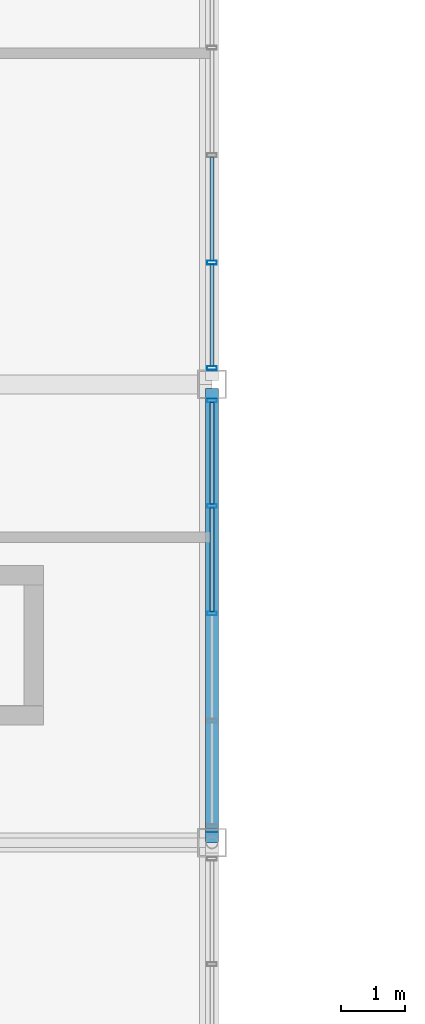
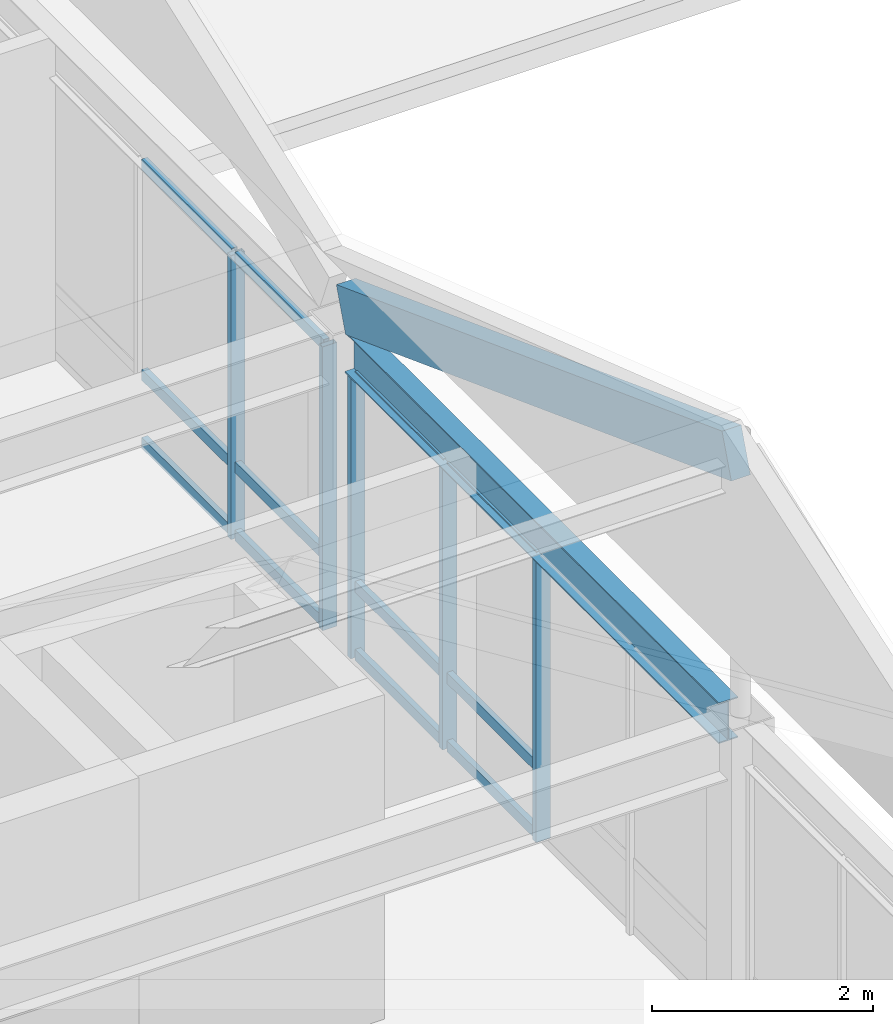
# One storey, part 22 of 113: 18 members, 1 beam, 2 elements without a shape of their own.
"""IFC4 building model written with IfcOpenShell, lengths in metres."""

from ifc_helpers import new_model, si_unit, direction, frame, origin, origin_2d, place, context, subcontext, project, spatial, rectangle, hollow_rectangle, i_section, extrude, material, material_profile, profile_set, type_object, element, aggregate, save


model = new_model("IFC4")

# Units and contexts
model_context = context("Model", 3, precision=1e-05, world=origin(), true_north=direction((0.0, 1.0)))
body_context = subcontext(model_context, "Body", "Model", "MODEL_VIEW")
ifc_project = project(units=[si_unit("LENGTHUNIT", "METRE"), si_unit("AREAUNIT", "SQUARE_METRE"), si_unit("VOLUMEUNIT", "CUBIC_METRE"), si_unit("PLANEANGLEUNIT", "RADIAN"), si_unit("MASSUNIT", "GRAM", prefix="KILO")], contexts=[model_context])

# Site, building, storey
site_placement = place(None, origin())
site = spatial("IfcSite", under=ifc_project, at=site_placement, CompositionType="ELEMENT")
building_placement = place(site_placement, origin())
building = spatial("IfcBuilding", under=site, at=building_placement, Name="Kazanami Central Library", CompositionType="ELEMENT")
storey_placement = place(building_placement, frame((0.0, 0.0, 8.800048828125)))
storey = spatial("IfcBuildingStorey", under=building, at=storey_placement, Name="L03", CompositionType="ELEMENT", Elevation=8.800048828125)

# Beam
ifc_material_1 = material(Name="Steel SN490B (325 MPa)", Category="steel")
ifc_material_profile_1 = material_profile(ifc_material_1, i_section(OverallWidth=0.199951171875, OverallDepth=0.449951171875, WebThickness=0.009033203125, FlangeThickness=0.013916015625, at=origin_2d()), Name="H-450x200x9x14")
ifc_profile_set_1 = profile_set([ifc_material_profile_1], Name="Steel SN490B (325 MPa)")
beam_type = type_object("IfcBeamType", Name="BM-SP-2", PredefinedType="SPANDREL", material=ifc_profile_set_1)
beam_placement = place(storey_placement, frame((36.0, 7.423095703125, 3.35498046875), z_axis=(0.0, 1.0, 0.0), x_axis=(-1.0, 0.0, 0.0)))
element("IfcBeam", 1, at=beam_placement, inside=storey, type_object=beam_type, Name="Girder SP-2 L03 5/B-C", PredefinedType="SPANDREL", context=body_context, shape_type="SweptSolid", body=[
    extrude(i_section(OverallWidth=0.199951171875, OverallDepth=0.449951171875, WebThickness=0.009033203125, FlangeThickness=0.013916015625, at=origin_2d()), origin(), (0.0, 0.0, 1.0), 6.75390625),
])

# Curtain wall, members
ifc_material_2 = material(Name="Acid-Etched Low-E Laminated Glass", Category="glass")
curtain_wall_type = type_object("IfcCurtainWallType", Name="CW-6750x3130-M180", PredefinedType="USERDEFINED", material=ifc_material_2)
curtain_wall_1_placement = place(storey_placement, origin())
curtain_wall_1 = element("IfcCurtainWall", 2, at=curtain_wall_1_placement, inside=storey, type_object=curtain_wall_type, Name="Covered Link Bridge Curtain Wall CW-33 L03 E-5-01", ObjectType="UNITISED CURTAIN WALL", PredefinedType="USERDEFINED")
ifc_material_3 = material(Name="Anodised Aluminium A6063-T5", Category="aluminium")
ifc_material_profile_2 = material_profile(ifc_material_3, hollow_rectangle(XDim=0.06005859375, YDim=0.14990234375, WallThickness=0.00390625, at=origin_2d()), Name="ALU-MULL-60x150x4")
ifc_profile_set_2 = profile_set([ifc_material_profile_2], Name="Anodised Aluminium A6063-T5")
member_type_1 = type_object("IfcMemberType", Name="MEM-CW-M3", PredefinedType="MULLION", material=ifc_profile_set_2)
member_1_placement = place(storey_placement, frame((36.0, 14.14501953125, 0.0), z_axis=(0.0, 0.0, 1.0), x_axis=(0.0, -1.0, 0.0)))
member_1 = element("IfcMember", 3, at=member_1_placement, type_object=member_type_1, Name="CW-33 mullion 1", PredefinedType="MULLION", context=body_context, shape_type="SweptSolid", body=[
    extrude(hollow_rectangle(XDim=0.06005859375, YDim=0.14990234375, WallThickness=0.00390625, at=origin_2d()), origin(), (0.0, 0.0, 1.0), 3.1298828125),
])
member_2_placement = place(storey_placement, frame((36.0, 12.487548828125, 0.0), z_axis=(0.0, 0.0, 1.0), x_axis=(0.0, -1.0, 0.0)))
member_2 = element("IfcMember", 4, at=member_2_placement, type_object=member_type_1, Name="CW-33 mullion 2", PredefinedType="MULLION", context=body_context, shape_type="SweptSolid", body=[
    extrude(hollow_rectangle(XDim=0.06005859375, YDim=0.14990234375, WallThickness=0.00390625, at=origin_2d()), origin(), (0.0, 0.0, 1.0), 3.1298828125),
])
member_3_placement = place(storey_placement, frame((36.0, 10.800048828125, 0.0), z_axis=(0.0, 0.0, 1.0), x_axis=(0.0, -1.0, 0.0)))
member_3 = element("IfcMember", 5, at=member_3_placement, type_object=member_type_1, Name="CW-33 mullion 3", PredefinedType="MULLION", context=body_context, shape_type="SweptSolid", body=[
    extrude(hollow_rectangle(XDim=0.06005859375, YDim=0.14990234375, WallThickness=0.00390625, at=origin_2d()), origin(), (0.0, 0.0, 1.0), 3.1298828125),
])

curtain_wall_2_placement = place(storey_placement, origin())
curtain_wall_2 = element("IfcCurtainWall", 6, at=curtain_wall_2_placement, inside=storey, type_object=curtain_wall_type, Name="Covered Link Bridge Curtain Wall CW-33 L03 E-5-02", ObjectType="UNITISED CURTAIN WALL", PredefinedType="USERDEFINED")
member_4_placement = place(storey_placement, frame((36.0, 16.3125, 0.0), z_axis=(0.0, 0.0, 1.0), x_axis=(0.0, -1.0, 0.0)))
member_4 = element("IfcMember", 7, at=member_4_placement, type_object=member_type_1, Name="CW-33 mullion 4", PredefinedType="MULLION", context=body_context, shape_type="SweptSolid", body=[
    extrude(hollow_rectangle(XDim=0.06005859375, YDim=0.14990234375, WallThickness=0.00390625, at=origin_2d()), origin(), (0.0, 0.0, 1.0), 3.1298828125),
])
member_5_placement = place(storey_placement, frame((36.0, 14.655029296875, 0.0), z_axis=(0.0, 0.0, 1.0), x_axis=(0.0, -1.0, 0.0)))
member_5 = element("IfcMember", 8, at=member_5_placement, type_object=member_type_1, Name="CW-33 mullion 5", PredefinedType="MULLION", context=body_context, shape_type="SweptSolid", body=[
    extrude(hollow_rectangle(XDim=0.06005859375, YDim=0.14990234375, WallThickness=0.00390625, at=origin_2d()), origin(), (0.0, 0.0, 1.0), 3.1298828125),
])

# Member
ifc_material_profile_3 = material_profile(ifc_material_3, hollow_rectangle(XDim=0.06005859375, YDim=0.1201171875, WallThickness=0.00341796875, at=origin_2d()), Name="ALU-TRAN-60x120x3.5")
ifc_profile_set_3 = profile_set([ifc_material_profile_3], Name="Anodised Aluminium A6063-T5")
member_type_2 = type_object("IfcMemberType", Name="MEM-CW-T3", PredefinedType="USERDEFINED", material=ifc_profile_set_3)
member_6_placement = place(storey_placement, frame((36.0, 14.114990234375, 0.030029296875), z_axis=(0.0, -1.0, 0.0), x_axis=(1.0, 0.0, 0.0)))
member_6 = element("IfcMember", 9, at=member_6_placement, type_object=member_type_2, Name="CW-33 transom 1.1", ObjectType="TRANSOM", PredefinedType="USERDEFINED", context=body_context, shape_type="SweptSolid", body=[
    extrude(hollow_rectangle(XDim=0.06005859375, YDim=0.1201171875, WallThickness=0.00341796875, at=origin_2d()), origin(), (0.0, 0.0, 1.0), 1.597412109375),
])

member_7_placement = place(storey_placement, frame((36.0, 14.114990234375, 0.780029296875), z_axis=(0.0, -1.0, 0.0), x_axis=(1.0, 0.0, 0.0)))
member_7 = element("IfcMember", 10, at=member_7_placement, type_object=member_type_2, Name="CW-33 transom 1.2", ObjectType="TRANSOM", PredefinedType="USERDEFINED", context=body_context, shape_type="SweptSolid", body=[
    extrude(hollow_rectangle(XDim=0.06005859375, YDim=0.1201171875, WallThickness=0.00341796875, at=origin_2d()), origin(), (0.0, 0.0, 1.0), 1.597412109375),
])

member_8_placement = place(storey_placement, frame((36.0, 14.114990234375, 3.099853515625), z_axis=(0.0, -1.0, 0.0), x_axis=(1.0, 0.0, 0.0)))
member_8 = element("IfcMember", 11, at=member_8_placement, type_object=member_type_2, Name="CW-33 transom 1.3", ObjectType="TRANSOM", PredefinedType="USERDEFINED", context=body_context, shape_type="SweptSolid", body=[
    extrude(hollow_rectangle(XDim=0.06005859375, YDim=0.1201171875, WallThickness=0.00341796875, at=origin_2d()), origin(), (0.0, 0.0, 1.0), 1.597412109375),
])

member_9_placement = place(storey_placement, frame((36.0, 12.45751953125, 0.030029296875), z_axis=(0.0, -1.0, 0.0), x_axis=(1.0, 0.0, 0.0)))
member_9 = element("IfcMember", 12, at=member_9_placement, type_object=member_type_2, Name="CW-33 transom 2.1", ObjectType="TRANSOM", PredefinedType="USERDEFINED", context=body_context, shape_type="SweptSolid", body=[
    extrude(hollow_rectangle(XDim=0.06005859375, YDim=0.1201171875, WallThickness=0.00341796875, at=origin_2d()), origin(), (0.0, 0.0, 1.0), 1.62744140625),
])

member_10_placement = place(storey_placement, frame((36.0, 12.45751953125, 0.780029296875), z_axis=(0.0, -1.0, 0.0), x_axis=(1.0, 0.0, 0.0)))
member_10 = element("IfcMember", 13, at=member_10_placement, type_object=member_type_2, Name="CW-33 transom 2.2", ObjectType="TRANSOM", PredefinedType="USERDEFINED", context=body_context, shape_type="SweptSolid", body=[
    extrude(hollow_rectangle(XDim=0.06005859375, YDim=0.1201171875, WallThickness=0.00341796875, at=origin_2d()), origin(), (0.0, 0.0, 1.0), 1.62744140625),
])

member_11_placement = place(storey_placement, frame((36.0, 12.45751953125, 3.099853515625), z_axis=(0.0, -1.0, 0.0), x_axis=(1.0, 0.0, 0.0)))
member_11 = element("IfcMember", 14, at=member_11_placement, type_object=member_type_2, Name="CW-33 transom 2.3", ObjectType="TRANSOM", PredefinedType="USERDEFINED", context=body_context, shape_type="SweptSolid", body=[
    extrude(hollow_rectangle(XDim=0.06005859375, YDim=0.1201171875, WallThickness=0.00341796875, at=origin_2d()), origin(), (0.0, 0.0, 1.0), 1.62744140625),
])

aggregate(curtain_wall_1, [member_1, member_2, member_3, member_6, member_7, member_8, member_9, member_10, member_11])

member_12_placement = place(storey_placement, frame((36.0, 17.969970703125, 0.030029296875), z_axis=(0.0, -1.0, 0.0), x_axis=(1.0, 0.0, 0.0)))
member_12 = element("IfcMember", 15, at=member_12_placement, type_object=member_type_2, Name="CW-33 transom 3.1", ObjectType="TRANSOM", PredefinedType="USERDEFINED", context=body_context, shape_type="SweptSolid", body=[
    extrude(hollow_rectangle(XDim=0.06005859375, YDim=0.1201171875, WallThickness=0.00341796875, at=origin_2d()), origin(), (0.0, 0.0, 1.0), 1.62744140625),
])

member_13_placement = place(storey_placement, frame((36.0, 17.969970703125, 0.780029296875), z_axis=(0.0, -1.0, 0.0), x_axis=(1.0, 0.0, 0.0)))
member_13 = element("IfcMember", 16, at=member_13_placement, type_object=member_type_2, Name="CW-33 transom 3.2", ObjectType="TRANSOM", PredefinedType="USERDEFINED", context=body_context, shape_type="SweptSolid", body=[
    extrude(hollow_rectangle(XDim=0.06005859375, YDim=0.1201171875, WallThickness=0.00341796875, at=origin_2d()), origin(), (0.0, 0.0, 1.0), 1.62744140625),
])

member_14_placement = place(storey_placement, frame((36.0, 17.969970703125, 3.099853515625), z_axis=(0.0, -1.0, 0.0), x_axis=(1.0, 0.0, 0.0)))
member_14 = element("IfcMember", 17, at=member_14_placement, type_object=member_type_2, Name="CW-33 transom 3.3", ObjectType="TRANSOM", PredefinedType="USERDEFINED", context=body_context, shape_type="SweptSolid", body=[
    extrude(hollow_rectangle(XDim=0.06005859375, YDim=0.1201171875, WallThickness=0.00341796875, at=origin_2d()), origin(), (0.0, 0.0, 1.0), 1.62744140625),
])

member_15_placement = place(storey_placement, frame((36.0, 16.282470703125, 0.030029296875), z_axis=(0.0, -1.0, 0.0), x_axis=(1.0, 0.0, 0.0)))
member_15 = element("IfcMember", 18, at=member_15_placement, type_object=member_type_2, Name="CW-33 transom 4.1", ObjectType="TRANSOM", PredefinedType="USERDEFINED", context=body_context, shape_type="SweptSolid", body=[
    extrude(hollow_rectangle(XDim=0.06005859375, YDim=0.1201171875, WallThickness=0.00341796875, at=origin_2d()), origin(), (0.0, 0.0, 1.0), 1.597412109375),
])

member_16_placement = place(storey_placement, frame((36.0, 16.282470703125, 0.780029296875), z_axis=(0.0, -1.0, 0.0), x_axis=(1.0, 0.0, 0.0)))
member_16 = element("IfcMember", 19, at=member_16_placement, type_object=member_type_2, Name="CW-33 transom 4.2", ObjectType="TRANSOM", PredefinedType="USERDEFINED", context=body_context, shape_type="SweptSolid", body=[
    extrude(hollow_rectangle(XDim=0.06005859375, YDim=0.1201171875, WallThickness=0.00341796875, at=origin_2d()), origin(), (0.0, 0.0, 1.0), 1.597412109375),
])

member_17_placement = place(storey_placement, frame((36.0, 16.282470703125, 3.099853515625), z_axis=(0.0, -1.0, 0.0), x_axis=(1.0, 0.0, 0.0)))
member_17 = element("IfcMember", 20, at=member_17_placement, type_object=member_type_2, Name="CW-33 transom 4.3", ObjectType="TRANSOM", PredefinedType="USERDEFINED", context=body_context, shape_type="SweptSolid", body=[
    extrude(hollow_rectangle(XDim=0.06005859375, YDim=0.1201171875, WallThickness=0.00341796875, at=origin_2d()), origin(), (0.0, 0.0, 1.0), 1.597412109375),
])

aggregate(curtain_wall_2, [member_4, member_5, member_12, member_13, member_14, member_15, member_16, member_17])

ifc_material_4 = material(Name="Glulam GL28h (28 MPa)", Category="wood")
ifc_material_profile_4 = material_profile(ifc_material_4, rectangle(XDim=0.199951171875, YDim=0.47998046875, at=origin_2d()), Name="GL28h-200x480")
ifc_profile_set_4 = profile_set([ifc_material_profile_4], Name="Glulam GL28h (28 MPa)")
member_type_3 = type_object("IfcMemberType", Name="MEM-GL-02", PredefinedType="RAFTER", material=ifc_profile_set_4)
member_18_placement = place(storey_placement, frame((36.0, 14.25, 3.780029296875), z_axis=(0.0, -0.936500272319, 0.350666850366), x_axis=(1.0, 0.0, 0.0)))
element("IfcMember", 21, at=member_18_placement, inside=storey, type_object=member_type_3, Name="Glulam Timber Shell Rafter GL-02 FOLD-L03-V3-S Grid 5 North", PredefinedType="RAFTER", context=body_context, shape_type="SweptSolid", body=[
    extrude(rectangle(XDim=0.199951171875, YDim=0.47998046875, at=origin_2d()), origin(), (0.0, 0.0, 1.0), 7.442626953125),
])

save(model, "model.ifc")
